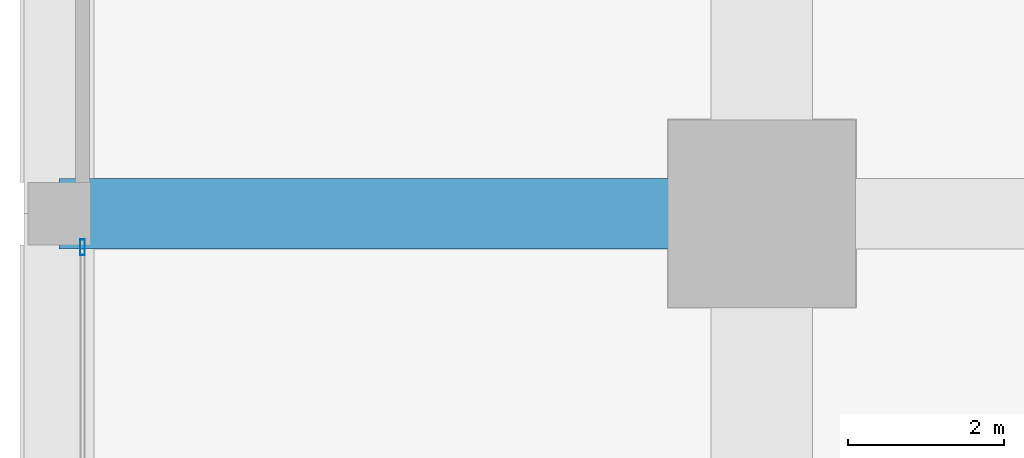
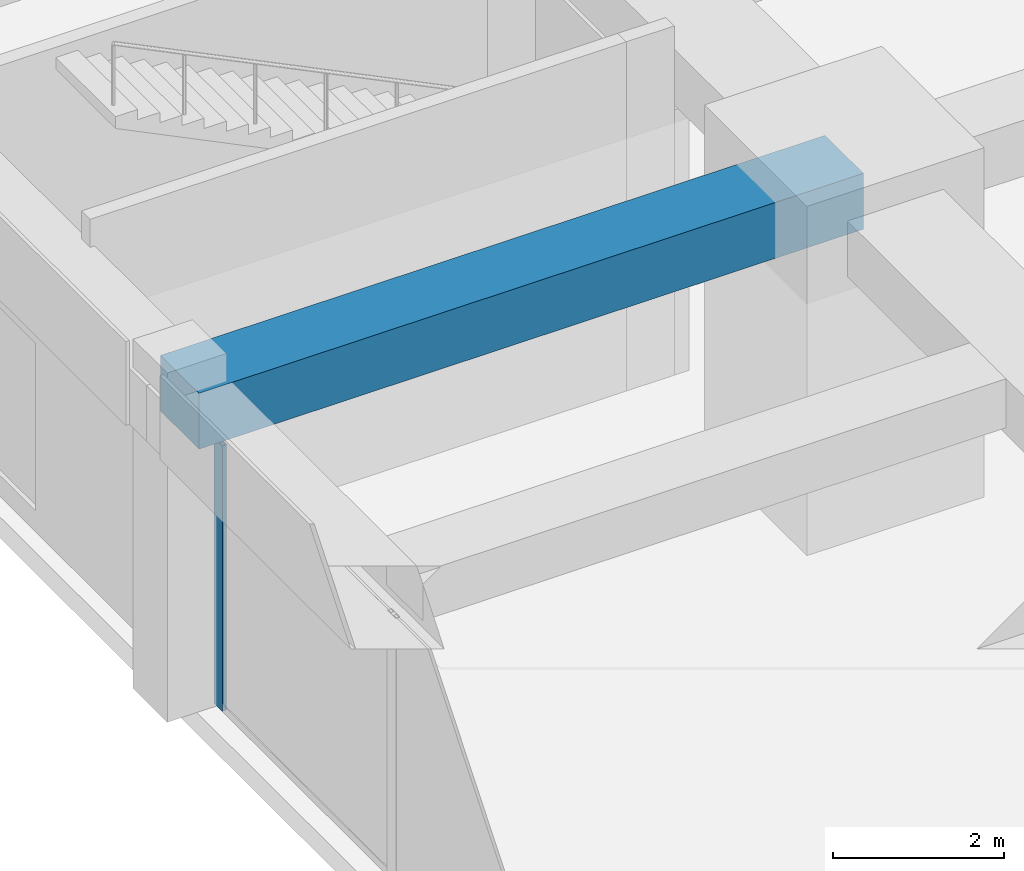
# One storey, part 18 of 46: 1 beam, 1 member, 1 element without a shape of its own.
"""IFC4 building model written with IfcOpenShell, lengths in metres."""

from ifc_helpers import new_model, si_unit, direction, frame, origin, origin_2d, place, context, subcontext, project, spatial, rectangle, hollow_rectangle, extrude, material, material_profile, profile_set, type_object, element, aggregate, save


model = new_model("IFC4")

# Units and contexts
model_context = context("Model", 3, precision=1e-05, world=origin(), true_north=direction((0.0, 1.0)))
body_context = subcontext(model_context, "Body", "Model", "MODEL_VIEW")
ifc_project = project(units=[si_unit("LENGTHUNIT", "METRE"), si_unit("AREAUNIT", "SQUARE_METRE"), si_unit("VOLUMEUNIT", "CUBIC_METRE"), si_unit("PLANEANGLEUNIT", "RADIAN"), si_unit("MASSUNIT", "GRAM", prefix="KILO")], contexts=[model_context])

# Site, building, storey
site_placement = place(None, origin())
site = spatial("IfcSite", under=ifc_project, at=site_placement, CompositionType="ELEMENT")
building_placement = place(site_placement, origin())
building = spatial("IfcBuilding", under=site, at=building_placement, Name="Zorevar Civic Tower", CompositionType="ELEMENT")
storey_placement = place(building_placement, frame((0.0, 0.0, 10.800048828125)))
storey = spatial("IfcBuildingStorey", under=building, at=storey_placement, Name="L02", CompositionType="ELEMENT", Elevation=10.800048828125)

# Beam
ifc_material_1 = material(Name="Concrete C50/60", Category="concrete")
ifc_material_profile_1 = material_profile(ifc_material_1, rectangle(XDim=0.89990234375, YDim=0.800048828125, at=origin_2d()), Name="RC 900x800")
ifc_profile_set_1 = profile_set([ifc_material_profile_1], Name="Concrete C50/60")
beam_type = type_object("IfcBeamType", Name="Beam RC 900x800", PredefinedType="BEAM", material=ifc_profile_set_1)
beam_placement = place(storey_placement, frame((-9.0, 36.0, 4.199951171875), z_axis=(1.0, 0.0, 0.0), x_axis=(0.0, 1.0, 0.0)))
element("IfcBeam", 1, at=beam_placement, inside=storey, type_object=beam_type, Name="Girder L03", PredefinedType="BEAM", context=body_context, shape_type="SweptSolid", body=[
    extrude(rectangle(XDim=0.89990234375, YDim=0.800048828125, at=origin_2d()), origin(), (0.0, 0.0, 1.0), 9.0),
])

# Curtain wall, member
ifc_material_2 = material(Name="Dark grey solar-control glass in black aluminium frame", Category="aluminium")
curtain_wall_type = type_object("IfcCurtainWallType", Name="Curtain wall CW1 podium", PredefinedType="NOTDEFINED", material=ifc_material_2)
curtain_wall_placement = place(storey_placement, origin())
curtain_wall = element("IfcCurtainWall", 2, at=curtain_wall_placement, inside=storey, type_object=curtain_wall_type, Name="CW1 L02", PredefinedType="NOTDEFINED")
ifc_material_3 = material(Name="Aluminium, black anodised", Category="aluminium")
ifc_material_profile_2 = material_profile(ifc_material_3, hollow_rectangle(XDim=0.06005859375, YDim=0.199951171875, WallThickness=0.00390625, at=origin_2d()), Name="AL 200x60x4")
ifc_profile_set_2 = profile_set([ifc_material_profile_2], Name="Aluminium, black anodised")
member_type = type_object("IfcMemberType", Name="CW1 mullion AL 200x60x4", PredefinedType="MULLION", material=ifc_profile_set_2)
member_placement = place(storey_placement, frame((-8.699951171875, 35.570068359375, 0.0), z_axis=(0.0, 0.0, 1.0), x_axis=(-1.0, 0.0, 0.0)))
member = element("IfcMember", 3, at=member_placement, type_object=member_type, Name="CW1 mullion 3", PredefinedType="MULLION", context=body_context, shape_type="SweptSolid", body=[
    extrude(hollow_rectangle(XDim=0.06005859375, YDim=0.199951171875, WallThickness=0.00390625, at=origin_2d()), origin(), (0.0, 0.0, 1.0), 3.800048828125),
])
aggregate(curtain_wall, [member])

save(model, "model.ifc")
